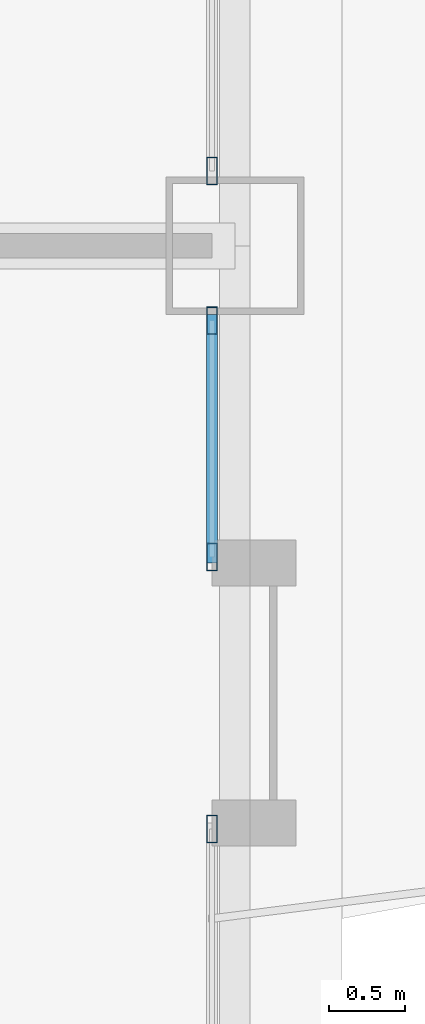
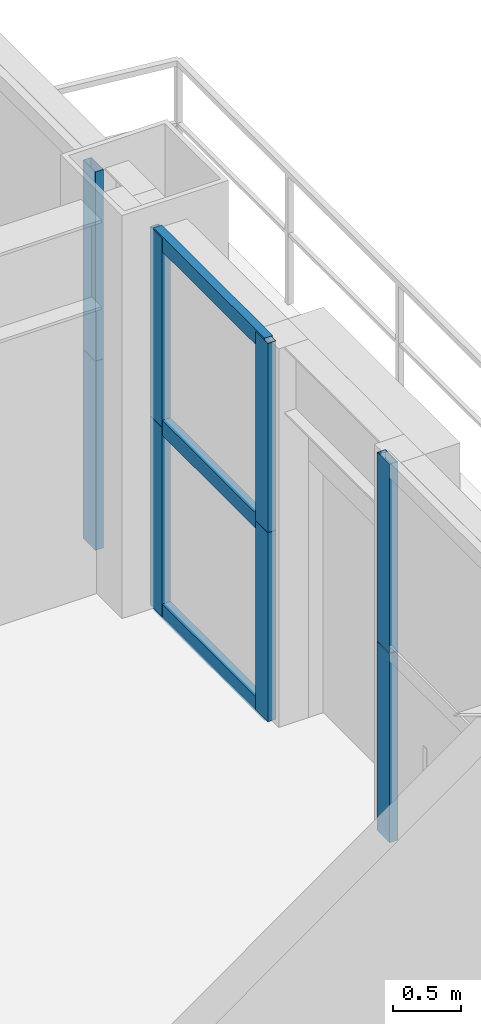
# One storey, part 20 of 43: 11 members, 3 elements without a shape of their own.
"""IFC4 building model written with IfcOpenShell, lengths in metres."""

from ifc_helpers import new_model, si_unit, direction, frame, origin, origin_2d, place, context, subcontext, project, spatial, hollow_rectangle, extrude, source, transform, mapped, material, layer, layer_set, material_profile, profile_set, type_object, element, aggregate, save


model = new_model("IFC4")

# Units and contexts
model_context = context("Model", 3, precision=1e-05, world=origin(), true_north=direction((0.0, 1.0)))
body_context = subcontext(model_context, "Body", "Model", "MODEL_VIEW")
ifc_project = project(units=[si_unit("LENGTHUNIT", "METRE"), si_unit("AREAUNIT", "SQUARE_METRE"), si_unit("VOLUMEUNIT", "CUBIC_METRE"), si_unit("PLANEANGLEUNIT", "RADIAN"), si_unit("MASSUNIT", "GRAM", prefix="KILO"), si_unit("THERMODYNAMICTEMPERATUREUNIT", "KELVIN"), si_unit("POWERUNIT", "WATT")], contexts=[model_context])

# Site, building, storey
site_placement = place(None, origin())
site = spatial("IfcSite", under=ifc_project, at=site_placement, CompositionType="ELEMENT")
building_placement = place(site_placement, origin())
building = spatial("IfcBuilding", under=site, at=building_placement, Name="Yuzanri Waterfront Tower", CompositionType="ELEMENT")
storey_placement = place(building_placement, frame((0.0, 0.0, 71.199951171875)))
storey = spatial("IfcBuildingStorey", under=building, at=storey_placement, Name="L18", CompositionType="ELEMENT", Elevation=71.199951171875)

# Curtain wall, members
ifc_material_1 = material(Name="Anodized Architectural Bronze", Category="metal")
ifc_layer = layer(ifc_material_1, 0.159912109375)
ifc_layer_set = layer_set([ifc_layer], Name="Anodized Architectural Bronze")
curtain_wall_type = type_object("IfcCurtainWallType", Name="Anodized Bronze Hotel Lower-Tier Recessed Unitized Curtain Wall 8100", PredefinedType="NOTDEFINED", material=ifc_layer_set)
curtain_wall_1_placement = place(storey_placement, origin())
curtain_wall_1 = element("IfcCurtainWall", 1, at=curtain_wall_1_placement, inside=storey, type_object=curtain_wall_type, Name="L18 Curtain Wall CW-L18-EL1", PredefinedType="NOTDEFINED")
ifc_material_2 = material(Name="Anodized Architectural Bronze", Category="metal")
ifc_material_profile_1 = material_profile(ifc_material_2, hollow_rectangle(XDim=0.070068359375, YDim=0.179931640625, WallThickness=0.00390625, at=origin_2d()), Name="CWM 70x180")
ifc_profile_set_1 = profile_set([ifc_material_profile_1], Name="Anodized Architectural Bronze")
member_type_1 = type_object("IfcMemberType", Name="Anodized Bronze Standard Curtain-Wall Mullion 70x180", PredefinedType="MULLION", material=ifc_profile_set_1)
shared_shape_1 = source(origin(), body_context, "Body", "SweptSolid", [
    extrude(hollow_rectangle(XDim=0.070068359375, YDim=0.179931640625, WallThickness=0.00390625, at=origin_2d()), origin(), (0.0, 0.0, 1.0), 1.68798828125),
])
member_1_placement = place(storey_placement, frame((61.949951171875, 21.985107421875, 0.0), z_axis=(0.0, 0.0, 1.0), x_axis=(1.0, 0.0, 0.0)))
member_1 = element("IfcMember", 2, at=member_1_placement, type_object=member_type_1, Name="CW-L18-EL1 Lower Mullion 02", PredefinedType="MULLION", context=body_context, shape_type="MappedRepresentation", body=[
    mapped(shared_shape_1, transform((0.0, 0.0, 0.0), scale=1.0)),
])
member_2_placement = place(storey_placement, frame((61.949951171875, 21.985107421875, 1.692138671875), z_axis=(0.0, 0.0, 1.0), x_axis=(1.0, 0.0, 0.0)))
member_2 = element("IfcMember", 3, at=member_2_placement, type_object=member_type_1, Name="CW-L18-EL1 Upper Mullion 02", PredefinedType="MULLION", context=body_context, shape_type="MappedRepresentation", body=[
    mapped(shared_shape_1, transform((0.0, 0.0, 0.0), scale=1.0)),
])
aggregate(curtain_wall_1, [member_1, member_2])

curtain_wall_2_placement = place(storey_placement, origin())
curtain_wall_2 = element("IfcCurtainWall", 4, at=curtain_wall_2_placement, inside=storey, type_object=curtain_wall_type, Name="L18 Curtain Wall CW-L18-EL2", PredefinedType="NOTDEFINED")
member_3_placement = place(storey_placement, frame((61.949951171875, 23.764892578125, 0.0), z_axis=(0.0, 0.0, 1.0), x_axis=(1.0, 0.0, 0.0)))
member_3 = element("IfcMember", 5, at=member_3_placement, type_object=member_type_1, Name="CW-L18-EL2 Lower Mullion 00", PredefinedType="MULLION", context=body_context, shape_type="MappedRepresentation", body=[
    mapped(shared_shape_1, transform((0.0, 0.0, 0.0), scale=1.0)),
])
member_4_placement = place(storey_placement, frame((61.949951171875, 23.764892578125, 1.692138671875), z_axis=(0.0, 0.0, 1.0), x_axis=(1.0, 0.0, 0.0)))
member_4 = element("IfcMember", 6, at=member_4_placement, type_object=member_type_1, Name="CW-L18-EL2 Upper Mullion 00", PredefinedType="MULLION", context=body_context, shape_type="MappedRepresentation", body=[
    mapped(shared_shape_1, transform((0.0, 0.0, 0.0), scale=1.0)),
])
member_5_placement = place(storey_placement, frame((61.949951171875, 25.31005859375, 0.0), z_axis=(0.0, 0.0, 1.0), x_axis=(1.0, 0.0, 0.0)))
member_5 = element("IfcMember", 7, at=member_5_placement, type_object=member_type_1, Name="CW-L18-EL2 Lower Mullion 01", PredefinedType="MULLION", context=body_context, shape_type="MappedRepresentation", body=[
    mapped(shared_shape_1, transform((0.0, 0.0, 0.0), scale=1.0)),
])
member_6_placement = place(storey_placement, frame((61.949951171875, 25.31005859375, 1.692138671875), z_axis=(0.0, 0.0, 1.0), x_axis=(1.0, 0.0, 0.0)))
member_6 = element("IfcMember", 8, at=member_6_placement, type_object=member_type_1, Name="CW-L18-EL2 Upper Mullion 01", PredefinedType="MULLION", context=body_context, shape_type="MappedRepresentation", body=[
    mapped(shared_shape_1, transform((0.0, 0.0, 0.0), scale=1.0)),
])

curtain_wall_3_placement = place(storey_placement, origin())
curtain_wall_3 = element("IfcCurtainWall", 9, at=curtain_wall_3_placement, inside=storey, type_object=curtain_wall_type, Name="L18 Curtain Wall CW-L18-ER", PredefinedType="NOTDEFINED")
member_7_placement = place(storey_placement, frame((61.949951171875, 26.2900390625, 0.0), z_axis=(0.0, 0.0, 1.0), x_axis=(1.0, 0.0, 0.0)))
member_7 = element("IfcMember", 10, at=member_7_placement, type_object=member_type_1, Name="CW-L18-ER Lower Mullion 00", PredefinedType="MULLION", context=body_context, shape_type="MappedRepresentation", body=[
    mapped(shared_shape_1, transform((0.0, 0.0, 0.0), scale=1.0)),
])
member_8_placement = place(storey_placement, frame((61.949951171875, 26.2900390625, 1.692138671875), z_axis=(0.0, 0.0, 1.0), x_axis=(1.0, 0.0, 0.0)))
member_8 = element("IfcMember", 11, at=member_8_placement, type_object=member_type_1, Name="CW-L18-ER Upper Mullion 00", PredefinedType="MULLION", context=body_context, shape_type="MappedRepresentation", body=[
    mapped(shared_shape_1, transform((0.0, 0.0, 0.0), scale=1.0)),
])
aggregate(curtain_wall_3, [member_7, member_8])

# Member
ifc_material_3 = material(Name="Anodized Architectural Bronze", Category="metal")
ifc_material_profile_2 = material_profile(ifc_material_3, hollow_rectangle(XDim=0.070068359375, YDim=0.135009765625, WallThickness=0.00341796875, at=origin_2d()), Name="CWT 70x135")
ifc_profile_set_2 = profile_set([ifc_material_profile_2], Name="Anodized Architectural Bronze")
member_type_2 = type_object("IfcMemberType", Name="Anodized Bronze Standard Curtain-Wall Transom 70x135", PredefinedType="USERDEFINED", material=ifc_profile_set_2)
shared_shape_2 = source(origin(), body_context, "Body", "SweptSolid", [
    extrude(hollow_rectangle(XDim=0.070068359375, YDim=0.135009765625, WallThickness=0.00341796875, at=origin_2d()), origin(), (0.0, 0.0, 1.0), 1.625),
])
member_9_placement = place(storey_placement, frame((61.949951171875, 23.72509765625, 0.050048828125), z_axis=(0.0, 1.0, 0.0), x_axis=(-1.0, 0.0, 0.0)))
member_9 = element("IfcMember", 12, at=member_9_placement, type_object=member_type_2, Name="CW-L18-EL2 Transom 1", ObjectType="TRANSOM", PredefinedType="USERDEFINED", context=body_context, shape_type="MappedRepresentation", body=[
    mapped(shared_shape_2, transform((0.0, 0.0, 0.0), scale=1.0)),
])

member_10_placement = place(storey_placement, frame((61.949951171875, 23.72509765625, 1.68994140625), z_axis=(0.0, 1.0, 0.0), x_axis=(-1.0, 0.0, 0.0)))
member_10 = element("IfcMember", 13, at=member_10_placement, type_object=member_type_2, Name="CW-L18-EL2 Transom 2", ObjectType="TRANSOM", PredefinedType="USERDEFINED", context=body_context, shape_type="MappedRepresentation", body=[
    mapped(shared_shape_2, transform((0.0, 0.0, 0.0), scale=1.0)),
])

member_11_placement = place(storey_placement, frame((61.949951171875, 23.72509765625, 3.330078125), z_axis=(0.0, 1.0, 0.0), x_axis=(-1.0, 0.0, 0.0)))
member_11 = element("IfcMember", 14, at=member_11_placement, type_object=member_type_2, Name="CW-L18-EL2 Transom 3", ObjectType="TRANSOM", PredefinedType="USERDEFINED", context=body_context, shape_type="MappedRepresentation", body=[
    mapped(shared_shape_2, transform((0.0, 0.0, 0.0), scale=1.0)),
])

aggregate(curtain_wall_2, [member_3, member_4, member_5, member_6, member_9, member_10, member_11])

save(model, "model.ifc")
